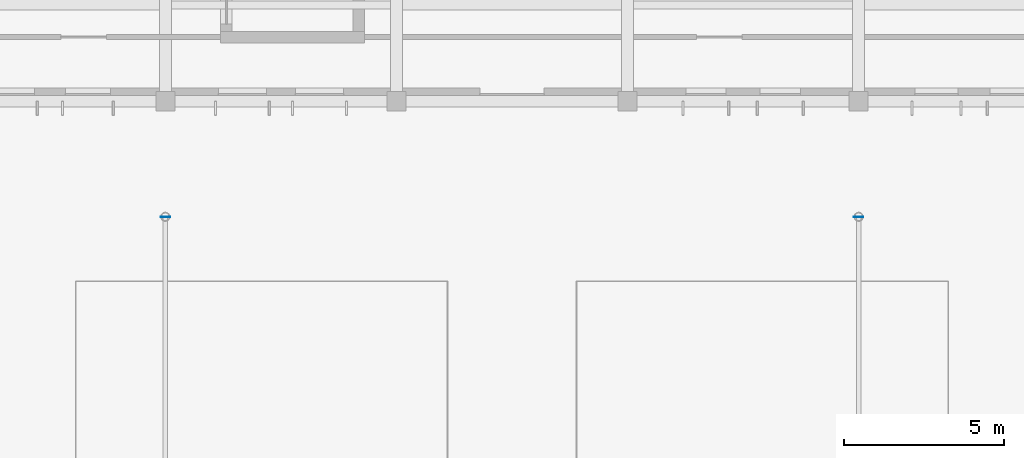
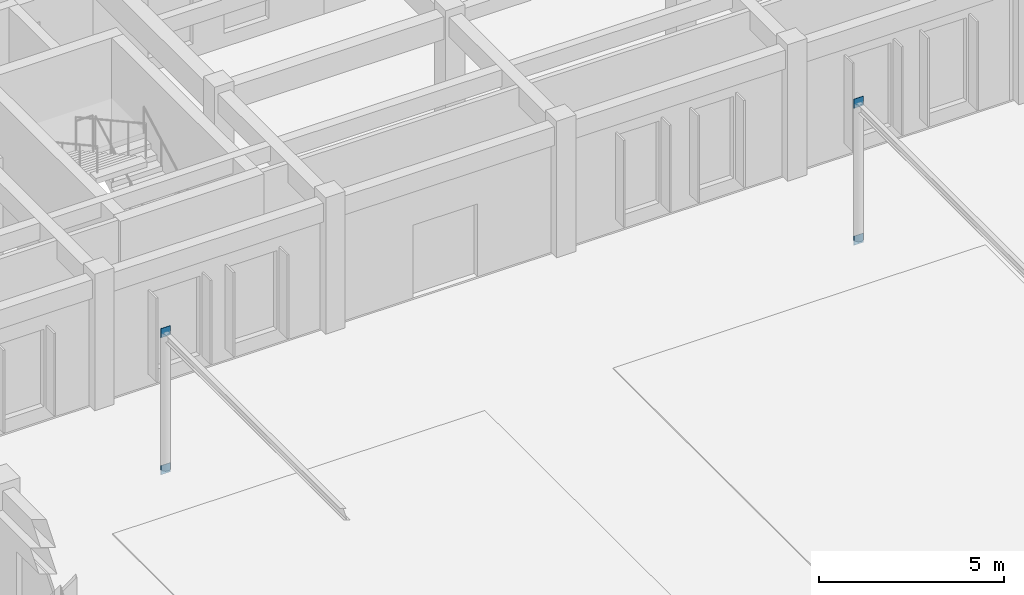
# One storey, part 20 of 43: 4 plates.
"""IFC4 building model written with IfcOpenShell, lengths in metres."""

from ifc_helpers import new_model, si_unit, direction, frame, origin, place, context, subcontext, project, spatial, polyline, outline, extrude, material, layer, layer_set, type_object, element, save


model = new_model("IFC4")

# Units and contexts
model_context = context("Model", 3, precision=1e-05, world=origin(), true_north=direction((0.0, 1.0)))
body_context = subcontext(model_context, "Body", "Model", "MODEL_VIEW")
ifc_project = project(units=[si_unit("LENGTHUNIT", "METRE"), si_unit("AREAUNIT", "SQUARE_METRE"), si_unit("VOLUMEUNIT", "CUBIC_METRE"), si_unit("PLANEANGLEUNIT", "RADIAN"), si_unit("MASSUNIT", "GRAM", prefix="KILO")], contexts=[model_context])

# Site, building, storey
site_placement = place(None, origin())
site = spatial("IfcSite", under=ifc_project, at=site_placement, CompositionType="ELEMENT")
building_placement = place(site_placement, origin())
building = spatial("IfcBuilding", under=site, at=building_placement, Name="Alvorim Cloister Faculty of Sciences", CompositionType="ELEMENT")
storey_placement = place(building_placement, origin())
storey = spatial("IfcBuildingStorey", under=building, at=storey_placement, Name="L00", CompositionType="ELEMENT", Elevation=0.0)

# Plates
ifc_material = material(Name="Steel ASTM A572 Grade 50", Category="steel")
ifc_layer = layer(ifc_material, 0.01611328125)
ifc_layer_set = layer_set([ifc_layer], Name="Steel ASTM A572 Grade 50")
plate_type = type_object("IfcPlateType", Name="PL-CAP-16", PredefinedType="SHEET", material=ifc_layer_set)
for number, where, z_axis, x_axis, name in (
    (1, (35.85009765625, 39.60009765625, -0.157958984375), (0.0, 0.0, 1.0), (1.0, 0.0, 0.0), "Hollow Steel End Plate ND-04"),
    (2, (35.85009765625, 39.60009765625, 4.35791015625), (0.0, 0.0, 1.0), (1.0, 0.0, 0.0), "Hollow Steel End Plate ND-04"),
    (3, (57.449951171875, 39.60009765625, -0.157958984375), (0.0, 0.0, 1.0), (1.0, 0.0, 0.0), "Hollow Steel End Plate ND-04"),
    (4, (57.449951171875, 39.60009765625, 4.35791015625), (0.0, 0.0, 1.0), (1.0, 0.0, 0.0), "Hollow Steel End Plate ND-04"),
):
    element("IfcPlate", number, at=place(storey_placement, frame(where, z_axis=z_axis, x_axis=x_axis)), inside=storey, type_object=plate_type, Name=name, PredefinedType="SHEET", context=body_context, shape_type="SweptSolid", body=[
        extrude(outline(polyline([(0.0, 0.0), (0.300048828125, 0.0), (0.300048828125, 0.300048828125), (0.0, 0.300048828125), (0.0, 0.0)])), frame((0.0, 0.008056640625, 0.0), z_axis=(0.0, -1.0, 0.0), x_axis=(1.0, 0.0, 0.0)), (0.0, 0.0, 1.0), 0.01611328125),
    ])

save(model, "model.ifc")
